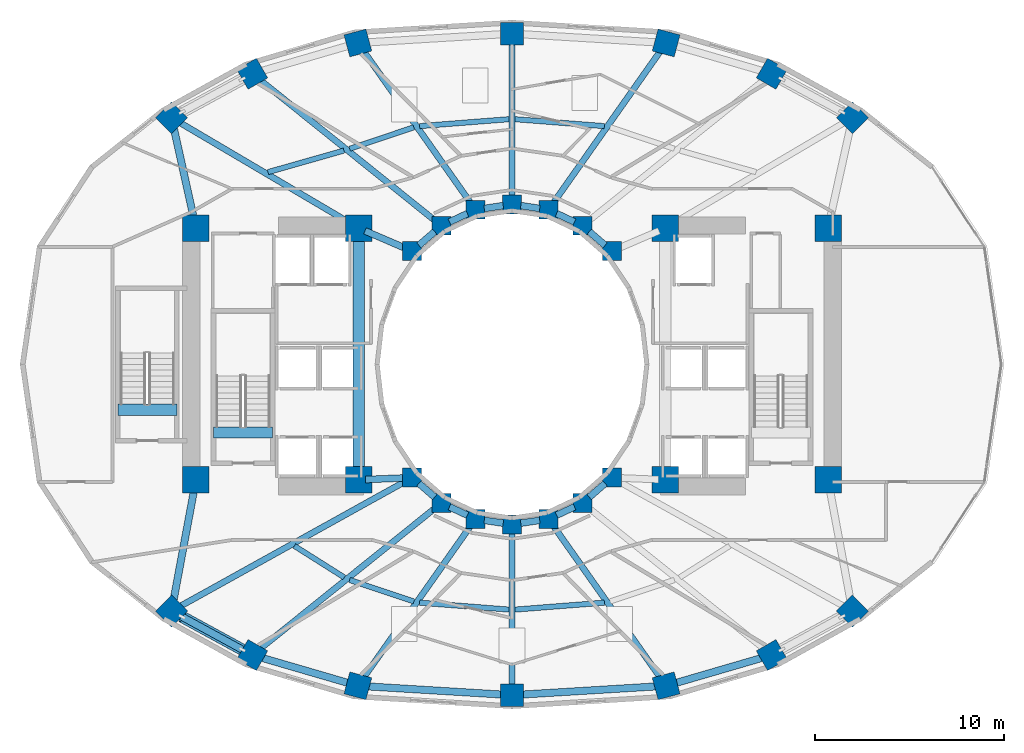
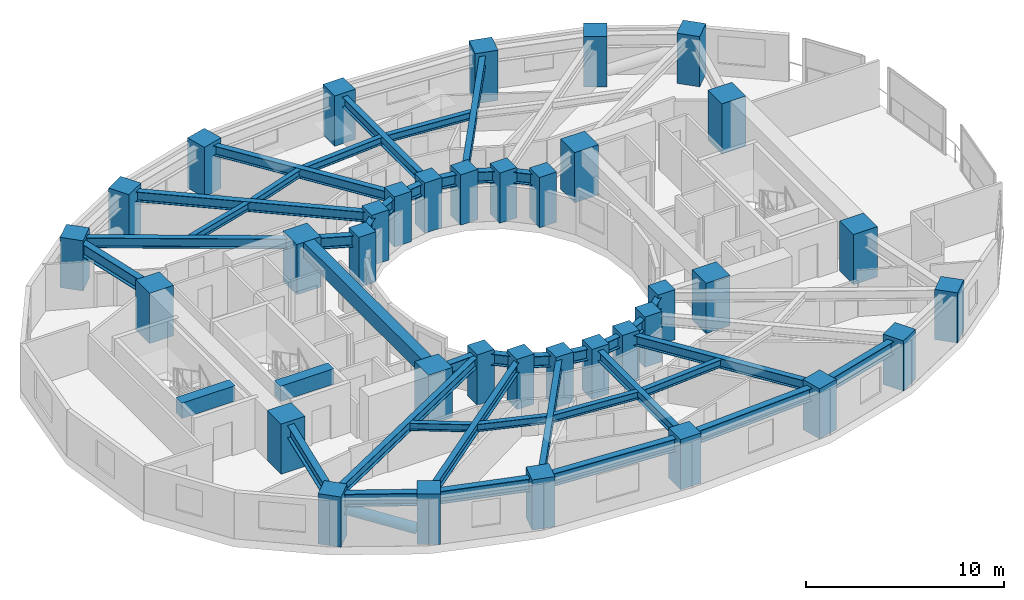
# One storey, part 1 of 15: 42 beams, 36 columns, 1 member.
"""IFC4 building model written with IfcOpenShell, lengths in metres."""

from ifc_helpers import new_model, si_unit, direction, frame, origin, origin_2d, place, context, subcontext, project, spatial, rectangle, hollow_circle, i_section, extrude, material, material_profile, profile_set, type_object, element, save


model = new_model("IFC4")

# Units and contexts
model_context = context("Model", 3, precision=1e-05, world=origin(), true_north=direction((0.0, 1.0)))
body_context = subcontext(model_context, "Body", "Model", "MODEL_VIEW")
ifc_project = project(units=[si_unit("LENGTHUNIT", "METRE"), si_unit("AREAUNIT", "SQUARE_METRE"), si_unit("VOLUMEUNIT", "CUBIC_METRE"), si_unit("PLANEANGLEUNIT", "RADIAN"), si_unit("MASSUNIT", "GRAM", prefix="KILO")], contexts=[model_context])

# Site, building, storey
site_placement = place(None, origin())
site = spatial("IfcSite", under=ifc_project, at=site_placement, CompositionType="ELEMENT")
building_placement = place(site_placement, origin())
building = spatial("IfcBuilding", under=site, at=building_placement, Name="Solvane Sanctuary Tower", CompositionType="ELEMENT")
storey_placement = place(building_placement, frame((0.0, 0.0, 46.199951171875)))
storey = spatial("IfcBuildingStorey", under=building, at=storey_placement, Name="L13", CompositionType="ELEMENT", Elevation=46.199951171875)

# Columns
ifc_material_1 = material(Name="Concrete C70/85", Category="concrete")
ifc_material_profile_1 = material_profile(ifc_material_1, rectangle(XDim=1.39990234375, YDim=1.39990234375, at=origin_2d()), Name="RC1400X1400")
ifc_profile_set_1 = profile_set([ifc_material_profile_1], Name="Concrete C70/85")
column_type_1 = type_object("IfcColumnType", Name="Column C-POD-INT RC1400X1400", PredefinedType="COLUMN", material=ifc_profile_set_1)
for number, where, z_axis, x_axis, name in (
    (1, (15.300048828125, 16.89990234375, 0.0), (0.0, 0.0, 1.0), (1.0, 0.0, 0.0), "L13 Core Corner Column CW1"),
    (2, (23.89990234375, 16.89990234375, 0.0), (0.0, 0.0, 1.0), (1.0, 0.0, 0.0), "L13 Core Corner Column CW2"),
    (3, (23.89990234375, 30.199951171875, 0.0), (0.0, 0.0, 1.0), (1.0, 0.0, 0.0), "L13 Core Corner Column CW3"),
    (4, (15.300048828125, 30.199951171875, 0.0), (0.0, 0.0, 1.0), (1.0, 0.0, 0.0), "L13 Core Corner Column CW4"),
    (5, (40.10009765625, 16.89990234375, 0.0), (0.0, 0.0, 1.0), (1.0, 0.0, 0.0), "L13 Core Corner Column CE1"),
    (6, (48.699951171875, 16.89990234375, 0.0), (0.0, 0.0, 1.0), (1.0, 0.0, 0.0), "L13 Core Corner Column CE2"),
    (7, (48.699951171875, 30.199951171875, 0.0), (0.0, 0.0, 1.0), (1.0, 0.0, 0.0), "L13 Core Corner Column CE3"),
    (8, (40.10009765625, 30.199951171875, 0.0), (0.0, 0.0, 1.0), (1.0, 0.0, 0.0), "L13 Core Corner Column CE4"),
):
    element("IfcColumn", number, at=place(storey_placement, frame(where, z_axis=z_axis, x_axis=x_axis)), inside=storey, type_object=column_type_1, Name=name, PredefinedType="COLUMN", context=body_context, shape_type="SweptSolid", body=[
        extrude(rectangle(XDim=1.39990234375, YDim=1.39990234375, at=origin_2d()), origin(), (0.0, 0.0, 1.0), 3.10009765625),
    ])
ifc_material_profile_2 = material_profile(ifc_material_1, rectangle(XDim=1.0, YDim=1.0, at=origin_2d()), Name="RC1000X1000")
ifc_profile_set_2 = profile_set([ifc_material_profile_2], Name="Concrete C70/85")
column_type_2 = type_object("IfcColumnType", Name="Column C-RING-Z1 RC1000X1000", PredefinedType="COLUMN", material=ifc_profile_set_2)
for number, where, z_axis, x_axis, name in (
    (9, (37.27490234375, 28.982177734375, 0.0), (0.0, 0.0, 1.0), (1.0, 0.0, 0.0), "L13 Inner Light-Well Ring Column IC01"),
    (10, (35.72998046875, 30.32666015625, 0.0), (0.0, 0.0, 1.0), (1.0, 0.0, 0.0), "L13 Inner Light-Well Ring Column IC02"),
    (11, (33.930908203125, 31.171630859375, 0.0), (0.0, 0.0, 1.0), (1.0, 0.0, 0.0), "L13 Inner Light-Well Ring Column IC03"),
    (12, (32.0, 31.4599609375, 0.0), (0.0, 0.0, 1.0), (1.0, 0.0, 0.0), "L13 Inner Light-Well Ring Column IC04"),
    (13, (30.069091796875, 31.171630859375, 0.0), (0.0, 0.0, 1.0), (1.0, 0.0, 0.0), "L13 Inner Light-Well Ring Column IC05"),
    (14, (28.27001953125, 30.32666015625, 0.0), (0.0, 0.0, 1.0), (1.0, 0.0, 0.0), "L13 Inner Light-Well Ring Column IC06"),
    (15, (26.72509765625, 28.982177734375, 0.0), (0.0, 0.0, 1.0), (1.0, 0.0, 0.0), "L13 Inner Light-Well Ring Column IC07"),
    (16, (26.72509765625, 17.017822265625, 0.0), (0.0, 0.0, 1.0), (1.0, 0.0, 0.0), "L13 Inner Light-Well Ring Column IC08"),
    (17, (28.27001953125, 15.67333984375, 0.0), (0.0, 0.0, 1.0), (1.0, 0.0, 0.0), "L13 Inner Light-Well Ring Column IC09"),
    (18, (30.069091796875, 14.828369140625, 0.0), (0.0, 0.0, 1.0), (1.0, 0.0, 0.0), "L13 Inner Light-Well Ring Column IC10"),
    (19, (32.0, 14.5400390625, 0.0), (0.0, 0.0, 1.0), (1.0, 0.0, 0.0), "L13 Inner Light-Well Ring Column IC11"),
    (20, (33.930908203125, 14.828369140625, 0.0), (0.0, 0.0, 1.0), (1.0, 0.0, 0.0), "L13 Inner Light-Well Ring Column IC12"),
    (21, (35.72998046875, 15.67333984375, 0.0), (0.0, 0.0, 1.0), (1.0, 0.0, 0.0), "L13 Inner Light-Well Ring Column IC13"),
    (22, (37.27490234375, 17.017822265625, 0.0), (0.0, 0.0, 1.0), (1.0, 0.0, 0.0), "L13 Inner Light-Well Ring Column IC14"),
):
    element("IfcColumn", number, at=place(storey_placement, frame(where, z_axis=z_axis, x_axis=x_axis)), inside=storey, type_object=column_type_2, Name=name, PredefinedType="COLUMN", context=body_context, shape_type="SweptSolid", body=[
        extrude(rectangle(XDim=1.0, YDim=1.0, at=origin_2d()), origin(), (0.0, 0.0, 1.0), 3.10009765625),
    ])
ifc_material_profile_3 = material_profile(ifc_material_1, rectangle(XDim=1.199951171875, YDim=1.199951171875, at=origin_2d()), Name="RC1200X1200")
ifc_profile_set_3 = profile_set([ifc_material_profile_3], Name="Concrete C70/85")
column_type_3 = type_object("IfcColumnType", Name="Column C-TUBE-Z1 RC1200X1200", PredefinedType="COLUMN", material=ifc_profile_set_3)
for number, where, z_axis, x_axis, name in (
    (23, (49.99169921875, 36.035400390625, 0.0), (0.0, 0.0, 1.0), (0.707106781187, 0.707106781187, 0.0), "L13 Perimeter Tube Column TC01"),
    (24, (45.727294921875, 38.359375, 0.0), (0.0, 0.0, 1.0), (0.5, 0.866025403784, 0.0), "L13 Perimeter Tube Column TC02"),
    (25, (40.14501953125, 39.985595703125, 0.0), (0.0, 0.0, 1.0), (0.258819045103, 0.965925826289, 0.0), "L13 Perimeter Tube Column TC03"),
    (26, (32.0, 40.47998046875, 0.0), (0.0, 0.0, 1.0), (0.0, 1.0, 0.0), "L13 Perimeter Tube Column TC04"),
    (27, (23.85498046875, 39.985595703125, 0.0), (0.0, 0.0, 1.0), (-0.258819045103, 0.965925826289, 0.0), "L13 Perimeter Tube Column TC05"),
    (28, (18.272705078125, 38.359375, 0.0), (0.0, 0.0, 1.0), (-0.5, 0.866025403784, 0.0), "L13 Perimeter Tube Column TC06"),
    (29, (14.00830078125, 36.035400390625, 0.0), (0.0, 0.0, 1.0), (-0.707106781187, 0.707106781187, 0.0), "L13 Perimeter Tube Column TC07"),
    (30, (14.00830078125, 9.964599609375, 0.0), (0.0, 0.0, 1.0), (-0.707106781187, -0.707106781187, 0.0), "L13 Perimeter Tube Column TC08"),
    (31, (18.272705078125, 7.640625, 0.0), (0.0, 0.0, 1.0), (-0.5, -0.866025403784, 0.0), "L13 Perimeter Tube Column TC09"),
    (32, (23.85498046875, 6.014404296875, 0.0), (0.0, 0.0, 1.0), (-0.258819045103, -0.965925826289, 0.0), "L13 Perimeter Tube Column TC10"),
    (33, (32.0, 5.52001953125, 0.0), (0.0, 0.0, 1.0), (0.0, -1.0, 0.0), "L13 Perimeter Tube Column TC11"),
    (34, (40.14501953125, 6.014404296875, 0.0), (0.0, 0.0, 1.0), (0.258819045103, -0.965925826289, 0.0), "L13 Perimeter Tube Column TC12"),
    (35, (45.727294921875, 7.640625, 0.0), (0.0, 0.0, 1.0), (0.5, -0.866025403784, 0.0), "L13 Perimeter Tube Column TC13"),
    (36, (49.99169921875, 9.964599609375, 0.0), (0.0, 0.0, 1.0), (0.707106781187, -0.707106781187, 0.0), "L13 Perimeter Tube Column TC14"),
):
    element("IfcColumn", number, at=place(storey_placement, frame(where, z_axis=z_axis, x_axis=x_axis)), inside=storey, type_object=column_type_3, Name=name, PredefinedType="COLUMN", context=body_context, shape_type="SweptSolid", body=[
        extrude(rectangle(XDim=1.199951171875, YDim=1.199951171875, at=origin_2d()), origin(), (0.0, 0.0, 1.0), 3.10009765625),
    ])

# Beams
ifc_material_profile_4 = material_profile(ifc_material_1, rectangle(XDim=0.60009765625, YDim=0.949951171875, at=origin_2d()), Name="RC600X950")
ifc_profile_set_4 = profile_set([ifc_material_profile_4], Name="Concrete C70/85")
beam_type_1 = type_object("IfcBeamType", Name="Beam B-COUPLE RC600X950", PredefinedType="LINTEL", material=ifc_profile_set_4)
beam_1_placement = place(storey_placement, frame((23.89990234375, 17.35009765625, 2.625), z_axis=(0.0, 1.0, 0.0), x_axis=(-1.0, 0.0, 0.0)))
element("IfcBeam", 37, at=beam_1_placement, inside=storey, type_object=beam_type_1, Name="L13 West Core Coupling Lintel", PredefinedType="LINTEL", context=body_context, shape_type="SweptSolid", body=[
    extrude(rectangle(XDim=0.60009765625, YDim=0.949951171875, at=origin_2d()), origin(), (0.0, 0.0, 1.0), 12.39990234375),
])
for number, where, z_axis, x_axis, name in (
    (38, (16.22998046875, 19.399169921875, 2.625), (1.0, 0.0, 0.0), (0.0, 1.0, 0.0), "L13 ST-1 Stair Floor Landing Trimmer"),
    (39, (11.169921875, 20.59912109375, 2.625), (1.0, 0.0, 0.0), (0.0, 1.0, 0.0), "L13 ST-3 Stair Floor Landing Trimmer"),
):
    element("IfcBeam", number, at=place(storey_placement, frame(where, z_axis=z_axis, x_axis=x_axis)), inside=storey, type_object=beam_type_1, Name=name, PredefinedType="LINTEL", context=body_context, shape_type="SweptSolid", body=[
        extrude(rectangle(XDim=0.60009765625, YDim=0.949951171875, at=origin_2d()), origin(), (0.0, 0.0, 1.0), 3.1201171875),
    ])
ifc_material_2 = material(Name="Steel ASTM A992 Grade 50", Category="steel")
ifc_material_profile_5 = material_profile(ifc_material_2, i_section(OverallWidth=0.323974609375, OverallDepth=0.611083984375, WebThickness=0.0126953125, FlangeThickness=0.01904296875, FilletRadius=0.01611328125, at=origin_2d()), Name="W24X104")
ifc_profile_set_5 = profile_set([ifc_material_profile_5], Name="Steel ASTM A992 Grade 50")
beam_type_2 = type_object("IfcBeamType", Name="Beam B-RAD-Z1 W24X104", PredefinedType="BEAM", material=ifc_profile_set_5)
beam_2_placement = place(storey_placement, frame((34.092041015625, 31.400390625, 2.572509765625), z_axis=(0.576233115666, 0.817285382476, 0.0), x_axis=(-0.817285382476, 0.576233115666, 0.0)))
element("IfcBeam", 40, at=beam_2_placement, inside=storey, type_object=beam_type_2, Name="L13 Radial Composite Floor Beam 03", PredefinedType="BEAM", context=body_context, shape_type="SweptSolid", body=[
    extrude(i_section(OverallWidth=0.323974609375, OverallDepth=0.611083984375, WebThickness=0.0126953125, FlangeThickness=0.01904296875, FilletRadius=0.01611328125, at=origin_2d()), origin(), (0.0, 0.0, 1.0), 10.224365234375),
])
beam_3_placement = place(storey_placement, frame((32.0, 31.739990234375, 2.572509765625), z_axis=(0.0, 1.0, 0.0), x_axis=(-1.0, 0.0, 0.0)))
element("IfcBeam", 41, at=beam_3_placement, inside=storey, type_object=beam_type_2, Name="L13 Radial Composite Floor Beam 04", PredefinedType="BEAM", context=body_context, shape_type="SweptSolid", body=[
    extrude(i_section(OverallWidth=0.323974609375, OverallDepth=0.611083984375, WebThickness=0.0126953125, FlangeThickness=0.01904296875, FilletRadius=0.01611328125, at=origin_2d()), origin(), (0.0, 0.0, 1.0), 8.4599609375),
])
beam_4_placement = place(storey_placement, frame((29.907958984375, 31.400390625, 2.572509765625), z_axis=(-0.576233115666, 0.817285382476, 0.0), x_axis=(-0.817285382476, -0.576233115666, 0.0)))
element("IfcBeam", 42, at=beam_4_placement, inside=storey, type_object=beam_type_2, Name="L13 Radial Composite Floor Beam 05", PredefinedType="BEAM", context=body_context, shape_type="SweptSolid", body=[
    extrude(i_section(OverallWidth=0.323974609375, OverallDepth=0.611083984375, WebThickness=0.0126953125, FlangeThickness=0.01904296875, FilletRadius=0.01611328125, at=origin_2d()), origin(), (0.0, 0.0, 1.0), 10.224365234375),
])
beam_5_placement = place(storey_placement, frame((28.0517578125, 30.501953125, 2.572509765625), z_axis=(-0.779526985436, 0.626368644631, 0.0), x_axis=(-0.626368644631, -0.779526985436, 0.0)))
element("IfcBeam", 43, at=beam_5_placement, inside=storey, type_object=beam_type_2, Name="L13 Radial Composite Floor Beam 06", PredefinedType="BEAM", context=body_context, shape_type="SweptSolid", body=[
    extrude(i_section(OverallWidth=0.323974609375, OverallDepth=0.611083984375, WebThickness=0.0126953125, FlangeThickness=0.01904296875, FilletRadius=0.01611328125, at=origin_2d()), origin(), (0.0, 0.0, 1.0), 12.2646484375),
])
beam_6_placement = place(storey_placement, frame((23.58984375, 30.3828125, 2.572509765625), z_axis=(-0.861291129905, 0.508111788435, 0.0), x_axis=(-0.508111788435, -0.861291129905, 0.0)))
element("IfcBeam", 44, at=beam_6_placement, inside=storey, type_object=beam_type_2, Name="L13 Radial Composite Floor Beam 07", PredefinedType="BEAM", context=body_context, shape_type="SweptSolid", body=[
    extrude(i_section(OverallWidth=0.323974609375, OverallDepth=0.611083984375, WebThickness=0.0126953125, FlangeThickness=0.01904296875, FilletRadius=0.01611328125, at=origin_2d()), origin(), (0.0, 0.0, 1.0), 10.844482421875),
])
beam_7_placement = place(storey_placement, frame((26.47998046875, 16.882080078125, 2.572509765625), z_axis=(-0.87449641157, -0.485031984668, 0.0), x_axis=(0.485031984668, -0.87449641157, 0.0)))
element("IfcBeam", 45, at=beam_7_placement, inside=storey, type_object=beam_type_2, Name="L13 Radial Composite Floor Beam 08", PredefinedType="BEAM", context=body_context, shape_type="SweptSolid", body=[
    extrude(i_section(OverallWidth=0.323974609375, OverallDepth=0.611083984375, WebThickness=0.0126953125, FlangeThickness=0.01904296875, FilletRadius=0.01611328125, at=origin_2d()), origin(), (0.0, 0.0, 1.0), 13.9814453125),
])
beam_8_placement = place(storey_placement, frame((28.0517578125, 15.498046875, 2.572509765625), z_axis=(-0.779526985436, -0.626368644631, 0.0), x_axis=(0.626368644631, -0.779526985436, 0.0)))
element("IfcBeam", 46, at=beam_8_placement, inside=storey, type_object=beam_type_2, Name="L13 Radial Composite Floor Beam 09", PredefinedType="BEAM", context=body_context, shape_type="SweptSolid", body=[
    extrude(i_section(OverallWidth=0.323974609375, OverallDepth=0.611083984375, WebThickness=0.0126953125, FlangeThickness=0.01904296875, FilletRadius=0.01611328125, at=origin_2d()), origin(), (0.0, 0.0, 1.0), 12.2646484375),
])
beam_9_placement = place(storey_placement, frame((29.907958984375, 14.599609375, 2.572509765625), z_axis=(-0.576233115666, -0.817285382476, 0.0), x_axis=(0.817285382476, -0.576233115666, 0.0)))
element("IfcBeam", 47, at=beam_9_placement, inside=storey, type_object=beam_type_2, Name="L13 Radial Composite Floor Beam 10", PredefinedType="BEAM", context=body_context, shape_type="SweptSolid", body=[
    extrude(i_section(OverallWidth=0.323974609375, OverallDepth=0.611083984375, WebThickness=0.0126953125, FlangeThickness=0.01904296875, FilletRadius=0.01611328125, at=origin_2d()), origin(), (0.0, 0.0, 1.0), 10.224365234375),
])
beam_10_placement = place(storey_placement, frame((32.0, 14.260009765625, 2.572509765625), z_axis=(0.0, -1.0, 0.0), x_axis=(1.0, 0.0, 0.0)))
element("IfcBeam", 48, at=beam_10_placement, inside=storey, type_object=beam_type_2, Name="L13 Radial Composite Floor Beam 11", PredefinedType="BEAM", context=body_context, shape_type="SweptSolid", body=[
    extrude(i_section(OverallWidth=0.323974609375, OverallDepth=0.611083984375, WebThickness=0.0126953125, FlangeThickness=0.01904296875, FilletRadius=0.01611328125, at=origin_2d()), origin(), (0.0, 0.0, 1.0), 8.4599609375),
])
beam_11_placement = place(storey_placement, frame((34.092041015625, 14.599609375, 2.572509765625), z_axis=(0.576233115666, -0.817285382476, 0.0), x_axis=(0.817285382476, 0.576233115666, 0.0)))
element("IfcBeam", 49, at=beam_11_placement, inside=storey, type_object=beam_type_2, Name="L13 Radial Composite Floor Beam 12", PredefinedType="BEAM", context=body_context, shape_type="SweptSolid", body=[
    extrude(i_section(OverallWidth=0.323974609375, OverallDepth=0.611083984375, WebThickness=0.0126953125, FlangeThickness=0.01904296875, FilletRadius=0.01611328125, at=origin_2d()), origin(), (0.0, 0.0, 1.0), 10.224365234375),
])
ifc_material_profile_6 = material_profile(ifc_material_2, i_section(OverallWidth=0.35498046875, OverallDepth=0.695068359375, WebThickness=0.015380859375, FlangeThickness=0.02490234375, FilletRadius=0.01806640625, at=origin_2d()), Name="W27X146")
ifc_profile_set_6 = profile_set([ifc_material_profile_6], Name="Steel ASTM A992 Grade 50")
beam_type_3 = type_object("IfcBeamType", Name="Beam B-RING-IN1 W27X146", PredefinedType="BEAM", material=ifc_profile_set_6)
beam_12_placement = place(storey_placement, frame((24.230712890625, 30.0576171875, 2.530517578125), z_axis=(0.918277080365, -0.395938383687, 0.0), x_axis=(0.395938383687, 0.918277080365, 0.0)))
element("IfcBeam", 50, at=beam_12_placement, inside=storey, type_object=beam_type_3, Name="L13 Inner Light-Well Ring Beam CW3-IC07", PredefinedType="BEAM", context=body_context, shape_type="SweptSolid", body=[
    extrude(i_section(OverallWidth=0.35498046875, OverallDepth=0.695068359375, WebThickness=0.015380859375, FlangeThickness=0.02490234375, FilletRadius=0.01806640625, at=origin_2d()), origin(), (0.0, 0.0, 1.0), 2.246337890625),
])
beam_13_placement = place(storey_placement, frame((27.07958984375, 29.29052734375, 2.530517578125), z_axis=(0.754320881993, 0.65650590781, 0.0), x_axis=(-0.65650590781, 0.754320881993, 0.0)))
element("IfcBeam", 51, at=beam_13_placement, inside=storey, type_object=beam_type_3, Name="L13 Inner Light-Well Ring Beam IC07-IC06", PredefinedType="BEAM", context=body_context, shape_type="SweptSolid", body=[
    extrude(i_section(OverallWidth=0.35498046875, OverallDepth=0.695068359375, WebThickness=0.015380859375, FlangeThickness=0.02490234375, FilletRadius=0.01806640625, at=origin_2d()), origin(), (0.0, 0.0, 1.0), 1.108154296875),
])
beam_14_placement = place(storey_placement, frame((28.6953125, 30.5263671875, 2.530517578125), z_axis=(0.905108885866, 0.42517984986, 0.0), x_axis=(-0.42517984986, 0.905108885866, 0.0)))
element("IfcBeam", 52, at=beam_14_placement, inside=storey, type_object=beam_type_3, Name="L13 Inner Light-Well Ring Beam IC06-IC05", PredefinedType="BEAM", context=body_context, shape_type="SweptSolid", body=[
    extrude(i_section(OverallWidth=0.35498046875, OverallDepth=0.695068359375, WebThickness=0.015380859375, FlangeThickness=0.02490234375, FilletRadius=0.01806640625, at=origin_2d()), origin(), (0.0, 0.0, 1.0), 1.0478515625),
])
for number, where, z_axis, x_axis, name in (
    (53, (30.533935546875, 31.2412109375, 2.530517578125), (0.989047520133, 0.147597435338, 0.0), (-0.147597435338, 0.989047520133, 0.0), "L13 Inner Light-Well Ring Beam IC05-IC04"),
    (54, (32.46484375, 31.390625, 2.530517578125), (0.989047520133, -0.147597435338, 0.0), (0.147597435338, 0.989047520133, 0.0), "L13 Inner Light-Well Ring Beam IC04-IC03"),
):
    element("IfcBeam", number, at=place(storey_placement, frame(where, z_axis=z_axis, x_axis=x_axis)), inside=storey, type_object=beam_type_3, Name=name, PredefinedType="BEAM", context=body_context, shape_type="SweptSolid", body=[
        extrude(i_section(OverallWidth=0.35498046875, OverallDepth=0.695068359375, WebThickness=0.015380859375, FlangeThickness=0.02490234375, FilletRadius=0.01806640625, at=origin_2d()), origin(), (0.0, 0.0, 1.0), 1.01220703125),
    ])
beam_15_placement = place(storey_placement, frame((34.356201171875, 30.971923828125, 2.530517578125), z_axis=(0.905108885866, -0.42517984986, 0.0), x_axis=(0.42517984986, 0.905108885866, 0.0)))
element("IfcBeam", 55, at=beam_15_placement, inside=storey, type_object=beam_type_3, Name="L13 Inner Light-Well Ring Beam IC03-IC02", PredefinedType="BEAM", context=body_context, shape_type="SweptSolid", body=[
    extrude(i_section(OverallWidth=0.35498046875, OverallDepth=0.695068359375, WebThickness=0.015380859375, FlangeThickness=0.02490234375, FilletRadius=0.01806640625, at=origin_2d()), origin(), (0.0, 0.0, 1.0), 1.0478515625),
])
beam_16_placement = place(storey_placement, frame((36.08447265625, 30.01806640625, 2.530517578125), z_axis=(0.754320881993, -0.65650590781, 0.0), x_axis=(0.65650590781, 0.754320881993, 0.0)))
element("IfcBeam", 56, at=beam_16_placement, inside=storey, type_object=beam_type_3, Name="L13 Inner Light-Well Ring Beam IC02-IC01", PredefinedType="BEAM", context=body_context, shape_type="SweptSolid", body=[
    extrude(i_section(OverallWidth=0.35498046875, OverallDepth=0.695068359375, WebThickness=0.015380859375, FlangeThickness=0.02490234375, FilletRadius=0.01806640625, at=origin_2d()), origin(), (0.0, 0.0, 1.0), 1.108154296875),
])
beam_17_placement = place(storey_placement, frame((24.259765625, 16.9150390625, 2.530517578125), z_axis=(0.999130953379, 0.041681386726, 0.0), x_axis=(-0.041681386726, 0.999130953379, 0.0)))
element("IfcBeam", 57, at=beam_17_placement, inside=storey, type_object=beam_type_3, Name="L13 Inner Light-Well Ring Beam CW2-IC08", PredefinedType="BEAM", context=body_context, shape_type="SweptSolid", body=[
    extrude(i_section(OverallWidth=0.35498046875, OverallDepth=0.695068359375, WebThickness=0.015380859375, FlangeThickness=0.02490234375, FilletRadius=0.01806640625, at=origin_2d()), origin(), (0.0, 0.0, 1.0), 1.997314453125),
])
beam_18_placement = place(storey_placement, frame((27.07958984375, 16.70947265625, 2.530517578125), z_axis=(0.754320881993, -0.65650590781, 0.0), x_axis=(0.65650590781, 0.754320881993, 0.0)))
element("IfcBeam", 58, at=beam_18_placement, inside=storey, type_object=beam_type_3, Name="L13 Inner Light-Well Ring Beam IC08-IC09", PredefinedType="BEAM", context=body_context, shape_type="SweptSolid", body=[
    extrude(i_section(OverallWidth=0.35498046875, OverallDepth=0.695068359375, WebThickness=0.015380859375, FlangeThickness=0.02490234375, FilletRadius=0.01806640625, at=origin_2d()), origin(), (0.0, 0.0, 1.0), 1.108154296875),
])
beam_19_placement = place(storey_placement, frame((28.6953125, 15.4736328125, 2.530517578125), z_axis=(0.905108885866, -0.42517984986, 0.0), x_axis=(0.42517984986, 0.905108885866, 0.0)))
element("IfcBeam", 59, at=beam_19_placement, inside=storey, type_object=beam_type_3, Name="L13 Inner Light-Well Ring Beam IC09-IC10", PredefinedType="BEAM", context=body_context, shape_type="SweptSolid", body=[
    extrude(i_section(OverallWidth=0.35498046875, OverallDepth=0.695068359375, WebThickness=0.015380859375, FlangeThickness=0.02490234375, FilletRadius=0.01806640625, at=origin_2d()), origin(), (0.0, 0.0, 1.0), 1.0478515625),
])
for number, where, z_axis, x_axis, name in (
    (60, (30.533935546875, 14.7587890625, 2.530517578125), (0.989047520133, -0.147597435338, 0.0), (0.147597435338, 0.989047520133, 0.0), "L13 Inner Light-Well Ring Beam IC10-IC11"),
    (61, (32.46484375, 14.609375, 2.530517578125), (0.989047520133, 0.147597435338, 0.0), (-0.147597435338, 0.989047520133, 0.0), "L13 Inner Light-Well Ring Beam IC11-IC12"),
):
    element("IfcBeam", number, at=place(storey_placement, frame(where, z_axis=z_axis, x_axis=x_axis)), inside=storey, type_object=beam_type_3, Name=name, PredefinedType="BEAM", context=body_context, shape_type="SweptSolid", body=[
        extrude(i_section(OverallWidth=0.35498046875, OverallDepth=0.695068359375, WebThickness=0.015380859375, FlangeThickness=0.02490234375, FilletRadius=0.01806640625, at=origin_2d()), origin(), (0.0, 0.0, 1.0), 1.01220703125),
    ])
beam_20_placement = place(storey_placement, frame((34.356201171875, 15.028076171875, 2.530517578125), z_axis=(0.905108885866, 0.42517984986, 0.0), x_axis=(-0.42517984986, 0.905108885866, 0.0)))
element("IfcBeam", 62, at=beam_20_placement, inside=storey, type_object=beam_type_3, Name="L13 Inner Light-Well Ring Beam IC12-IC13", PredefinedType="BEAM", context=body_context, shape_type="SweptSolid", body=[
    extrude(i_section(OverallWidth=0.35498046875, OverallDepth=0.695068359375, WebThickness=0.015380859375, FlangeThickness=0.02490234375, FilletRadius=0.01806640625, at=origin_2d()), origin(), (0.0, 0.0, 1.0), 1.0478515625),
])
beam_21_placement = place(storey_placement, frame((36.08447265625, 15.98193359375, 2.530517578125), z_axis=(0.754320881993, 0.65650590781, 0.0), x_axis=(-0.65650590781, 0.754320881993, 0.0)))
element("IfcBeam", 63, at=beam_21_placement, inside=storey, type_object=beam_type_3, Name="L13 Inner Light-Well Ring Beam IC13-IC14", PredefinedType="BEAM", context=body_context, shape_type="SweptSolid", body=[
    extrude(i_section(OverallWidth=0.35498046875, OverallDepth=0.695068359375, WebThickness=0.015380859375, FlangeThickness=0.02490234375, FilletRadius=0.01806640625, at=origin_2d()), origin(), (0.0, 0.0, 1.0), 1.108154296875),
])
ifc_material_profile_7 = material_profile(ifc_material_2, i_section(OverallWidth=0.280029296875, OverallDepth=0.462890625, WebThickness=0.0107421875, FlangeThickness=0.017333984375, FilletRadius=0.013916015625, at=origin_2d()), Name="W18X76")
ifc_profile_set_7 = profile_set([ifc_material_profile_7], Name="Steel ASTM A992 Grade 50")
beam_type_4 = type_object("IfcBeamType", Name="Beam B-SEC-JOIST W18X76", PredefinedType="JOIST", material=ifc_profile_set_7)
beam_22_placement = place(storey_placement, frame((19.10498046875, 33.160400390625, 2.646484375), z_axis=(0.962003645121, 0.273036603358, 0.0), x_axis=(-0.273036603358, 0.962003645121, 0.0)))
element("IfcBeam", 64, at=beam_22_placement, inside=storey, type_object=beam_type_4, Name="L13 Secondary Circumferential Joist 07-06", PredefinedType="JOIST", context=body_context, shape_type="SweptSolid", body=[
    extrude(i_section(OverallWidth=0.280029296875, OverallDepth=0.462890625, WebThickness=0.0107421875, FlangeThickness=0.017333984375, FilletRadius=0.013916015625, at=origin_2d()), origin(), (0.0, 0.0, 1.0), 4.174072265625),
])
beam_23_placement = place(storey_placement, frame((23.42041015625, 34.392822265625, 2.646484375), z_axis=(0.948259393162, 0.317496650816, 0.0), x_axis=(-0.317496650816, 0.948259393162, 0.0)))
element("IfcBeam", 65, at=beam_23_placement, inside=storey, type_object=beam_type_4, Name="L13 Secondary Circumferential Joist 06-05", PredefinedType="JOIST", context=body_context, shape_type="SweptSolid", body=[
    extrude(i_section(OverallWidth=0.280029296875, OverallDepth=0.462890625, WebThickness=0.0107421875, FlangeThickness=0.017333984375, FilletRadius=0.013916015625, at=origin_2d()), origin(), (0.0, 0.0, 1.0), 3.577880859375),
])
for number, where, z_axis, x_axis, name in (
    (66, (27.11865234375, 35.5908203125, 2.646484375), (0.996997851194, 0.077429223911, 0.0), (-0.077429223911, 0.996997851194, 0.0), "L13 Secondary Circumferential Joist 05-04"),
    (67, (32.156494140625, 35.957763671875, 2.646484375), (0.996997851194, -0.077429223911, 0.0), (0.077429223911, 0.996997851194, 0.0), "L13 Secondary Circumferential Joist 04-03"),
):
    element("IfcBeam", number, at=place(storey_placement, frame(where, z_axis=z_axis, x_axis=x_axis)), inside=storey, type_object=beam_type_4, Name=name, PredefinedType="JOIST", context=body_context, shape_type="SweptSolid", body=[
        extrude(i_section(OverallWidth=0.280029296875, OverallDepth=0.462890625, WebThickness=0.0107421875, FlangeThickness=0.017333984375, FilletRadius=0.013916015625, at=origin_2d()), origin(), (0.0, 0.0, 1.0), 4.739013671875),
    ])
beam_24_placement = place(storey_placement, frame((20.499267578125, 13.407470703125, 2.646484375), z_axis=(0.845524211665, -0.533937081957, 0.0), x_axis=(0.533937081957, 0.845524211665, 0.0)))
element("IfcBeam", 68, at=beam_24_placement, inside=storey, type_object=beam_type_4, Name="L13 Secondary Circumferential Joist 08-09", PredefinedType="JOIST", context=body_context, shape_type="SweptSolid", body=[
    extrude(i_section(OverallWidth=0.280029296875, OverallDepth=0.462890625, WebThickness=0.0107421875, FlangeThickness=0.017333984375, FilletRadius=0.013916015625, at=origin_2d()), origin(), (0.0, 0.0, 1.0), 3.12158203125),
])
beam_25_placement = place(storey_placement, frame((23.42041015625, 11.607177734375, 2.646484375), z_axis=(0.948259393162, -0.317496650816, 0.0), x_axis=(0.317496650816, 0.948259393162, 0.0)))
element("IfcBeam", 69, at=beam_25_placement, inside=storey, type_object=beam_type_4, Name="L13 Secondary Circumferential Joist 09-10", PredefinedType="JOIST", context=body_context, shape_type="SweptSolid", body=[
    extrude(i_section(OverallWidth=0.280029296875, OverallDepth=0.462890625, WebThickness=0.0107421875, FlangeThickness=0.017333984375, FilletRadius=0.013916015625, at=origin_2d()), origin(), (0.0, 0.0, 1.0), 3.577880859375),
])
for number, where, z_axis, x_axis, name in (
    (70, (27.11865234375, 10.4091796875, 2.646484375), (0.996997851194, -0.077429223911, 0.0), (0.077429223911, 0.996997851194, 0.0), "L13 Secondary Circumferential Joist 10-11"),
    (71, (32.156494140625, 10.042236328125, 2.646484375), (0.996997851194, 0.077429223911, 0.0), (-0.077429223911, 0.996997851194, 0.0), "L13 Secondary Circumferential Joist 11-12"),
):
    element("IfcBeam", number, at=place(storey_placement, frame(where, z_axis=z_axis, x_axis=x_axis)), inside=storey, type_object=beam_type_4, Name=name, PredefinedType="JOIST", context=body_context, shape_type="SweptSolid", body=[
        extrude(i_section(OverallWidth=0.280029296875, OverallDepth=0.462890625, WebThickness=0.0107421875, FlangeThickness=0.017333984375, FilletRadius=0.013916015625, at=origin_2d()), origin(), (0.0, 0.0, 1.0), 4.739013671875),
    ])
ifc_material_profile_8 = material_profile(ifc_material_2, i_section(OverallWidth=0.382080078125, OverallDepth=0.779052734375, WebThickness=0.01806640625, FlangeThickness=0.030029296875, FilletRadius=0.02001953125, at=origin_2d()), Name="W30X191")
ifc_profile_set_8 = profile_set([ifc_material_profile_8], Name="Steel ASTM A992 Grade 50")
beam_type_5 = type_object("IfcBeamType", Name="Beam B-SPAND-Z1 W30X191", PredefinedType="SPANDREL", material=ifc_profile_set_8)
beam_26_placement = place(storey_placement, frame((15.239501953125, 30.473388671875, 2.488525390625), z_axis=(-0.216123846648, 0.976365957472, 0.0), x_axis=(-0.976365957472, -0.216123846648, 0.0)))
element("IfcBeam", 72, at=beam_26_placement, inside=storey, type_object=beam_type_5, Name="L13 Perimeter Spandrel Beam CW4-TC07", PredefinedType="SPANDREL", context=body_context, shape_type="SweptSolid", body=[
    extrude(i_section(OverallWidth=0.382080078125, OverallDepth=0.779052734375, WebThickness=0.01806640625, FlangeThickness=0.030029296875, FilletRadius=0.02001953125, at=origin_2d()), origin(), (0.0, 0.0, 1.0), 5.41650390625),
])
beam_27_placement = place(storey_placement, frame((15.248779296875, 16.624755859375, 2.488525390625), z_axis=(-0.183108171104, -0.983092771652, 0.0), x_axis=(0.983092771652, -0.183108171104, 0.0)))
element("IfcBeam", 73, at=beam_27_placement, inside=storey, type_object=beam_type_5, Name="L13 Perimeter Spandrel Beam CW1-TC08", PredefinedType="SPANDREL", context=body_context, shape_type="SweptSolid", body=[
    extrude(i_section(OverallWidth=0.382080078125, OverallDepth=0.779052734375, WebThickness=0.01806640625, FlangeThickness=0.030029296875, FilletRadius=0.02001953125, at=origin_2d()), origin(), (0.0, 0.0, 1.0), 6.49462890625),
])
beam_28_placement = place(storey_placement, frame((14.254150390625, 9.830810546875, 2.488525390625), z_axis=(0.878060556078, -0.478549537519, 0.0), x_axis=(0.478549537519, 0.878060556078, 0.0)))
element("IfcBeam", 74, at=beam_28_placement, inside=storey, type_object=beam_type_5, Name="L13 Perimeter Spandrel Beam TC08-TC09", PredefinedType="SPANDREL", context=body_context, shape_type="SweptSolid", body=[
    extrude(i_section(OverallWidth=0.382080078125, OverallDepth=0.779052734375, WebThickness=0.01806640625, FlangeThickness=0.030029296875, FilletRadius=0.02001953125, at=origin_2d()), origin(), (0.0, 0.0, 1.0), 4.296630859375),
])
beam_29_placement = place(storey_placement, frame((18.54150390625, 7.562255859375, 2.488525390625), z_axis=(0.960096217722, -0.279669899553, 0.0), x_axis=(0.279669899553, 0.960096217722, 0.0)))
element("IfcBeam", 75, at=beam_29_placement, inside=storey, type_object=beam_type_5, Name="L13 Perimeter Spandrel Beam TC09-TC10", PredefinedType="SPANDREL", context=body_context, shape_type="SweptSolid", body=[
    extrude(i_section(OverallWidth=0.382080078125, OverallDepth=0.779052734375, WebThickness=0.01806640625, FlangeThickness=0.030029296875, FilletRadius=0.02001953125, at=origin_2d()), origin(), (0.0, 0.0, 1.0), 5.25439453125),
])
for number, where, z_axis, x_axis, name in (
    (76, (24.134521484375, 5.99755859375, 2.488525390625), (0.998162966989, -0.060586230553, 0.0), (0.060586230553, 0.998162966989, 0.0), "L13 Perimeter Spandrel Beam TC10-TC11"),
    (77, (32.279541015625, 5.537109375, 2.488525390625), (0.998162966989, 0.060586230553, 0.0), (-0.060586230553, 0.998162966989, 0.0), "L13 Perimeter Spandrel Beam TC11-TC12"),
):
    element("IfcBeam", number, at=place(storey_placement, frame(where, z_axis=z_axis, x_axis=x_axis)), inside=storey, type_object=beam_type_5, Name=name, PredefinedType="SPANDREL", context=body_context, shape_type="SweptSolid", body=[
        extrude(i_section(OverallWidth=0.382080078125, OverallDepth=0.779052734375, WebThickness=0.01806640625, FlangeThickness=0.030029296875, FilletRadius=0.02001953125, at=origin_2d()), origin(), (0.0, 0.0, 1.0), 7.599853515625),
    ])
beam_30_placement = place(storey_placement, frame((40.413818359375, 6.0927734375, 2.488525390625), z_axis=(0.960096217722, 0.279669899553, 0.0), x_axis=(-0.279669899553, 0.960096217722, 0.0)))
element("IfcBeam", 78, at=beam_30_placement, inside=storey, type_object=beam_type_5, Name="L13 Perimeter Spandrel Beam TC12-TC13", PredefinedType="SPANDREL", context=body_context, shape_type="SweptSolid", body=[
    extrude(i_section(OverallWidth=0.382080078125, OverallDepth=0.779052734375, WebThickness=0.01806640625, FlangeThickness=0.030029296875, FilletRadius=0.02001953125, at=origin_2d()), origin(), (0.0, 0.0, 1.0), 5.25439453125),
])

# Member
ifc_material_profile_9 = material_profile(ifc_material_2, hollow_circle(Radius=0.304931640625, WallThickness=0.01611328125, at=origin_2d()), Name="CHS610X16")
ifc_profile_set_9 = profile_set([ifc_material_profile_9], Name="Steel ASTM A992 Grade 50")
member_type = type_object("IfcMemberType", Name="Member M-TUBE-Z1 CHS610X16", PredefinedType="BRACE", material=ifc_profile_set_9)
member_placement = place(storey_placement, frame((17.737548828125, 7.932373046875, 0.595947265625), z_axis=(-0.827757582726, 0.451121829397, 0.333626256882), x_axis=(-0.478539548862, -0.878065999897, 0.0)))
element("IfcMember", 79, at=member_placement, inside=storey, type_object=member_type, Name="L13 Perimeter Braced-Tube Diagonal SW", PredefinedType="BRACE", context=body_context, shape_type="SweptSolid", body=[
    extrude(hollow_circle(Radius=0.304931640625, WallThickness=0.01611328125, at=origin_2d()), origin(), (0.0, 0.0, 1.0), 3.83154296875),
])

save(model, "model.ifc")
